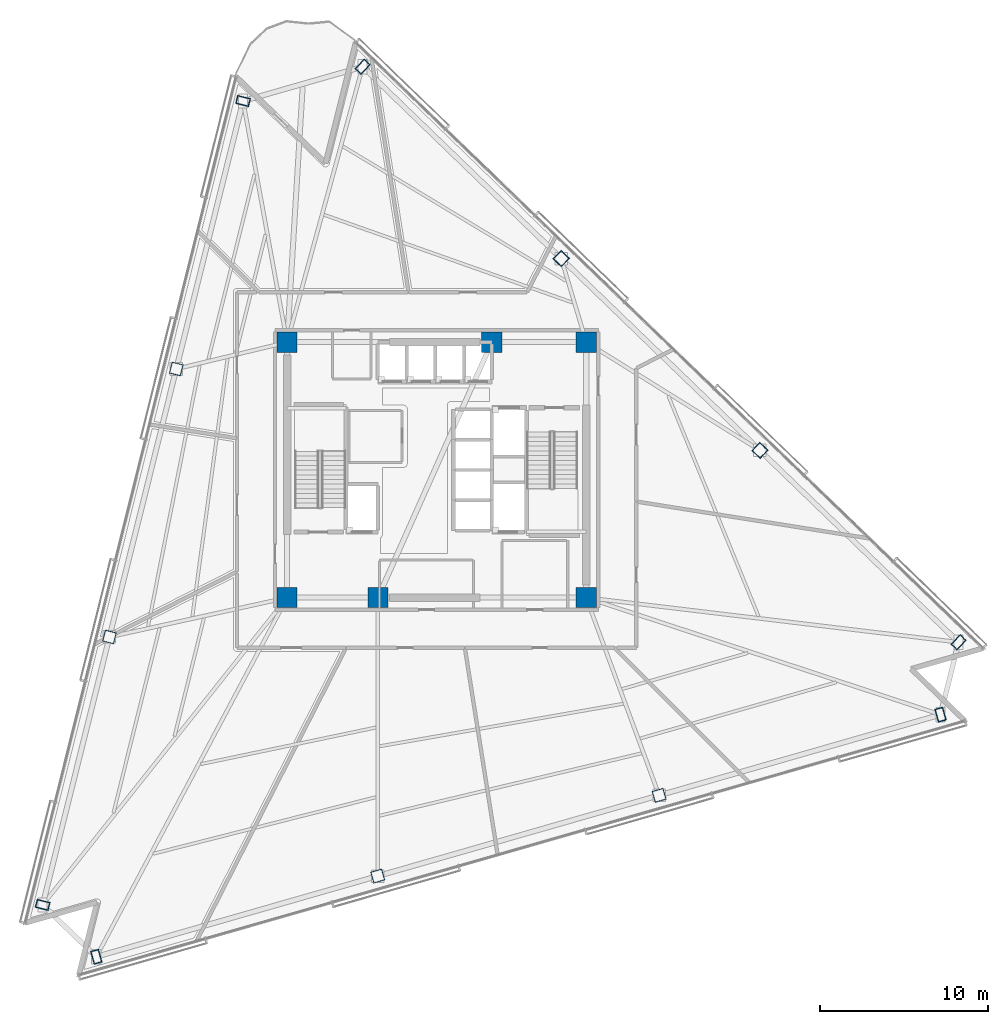
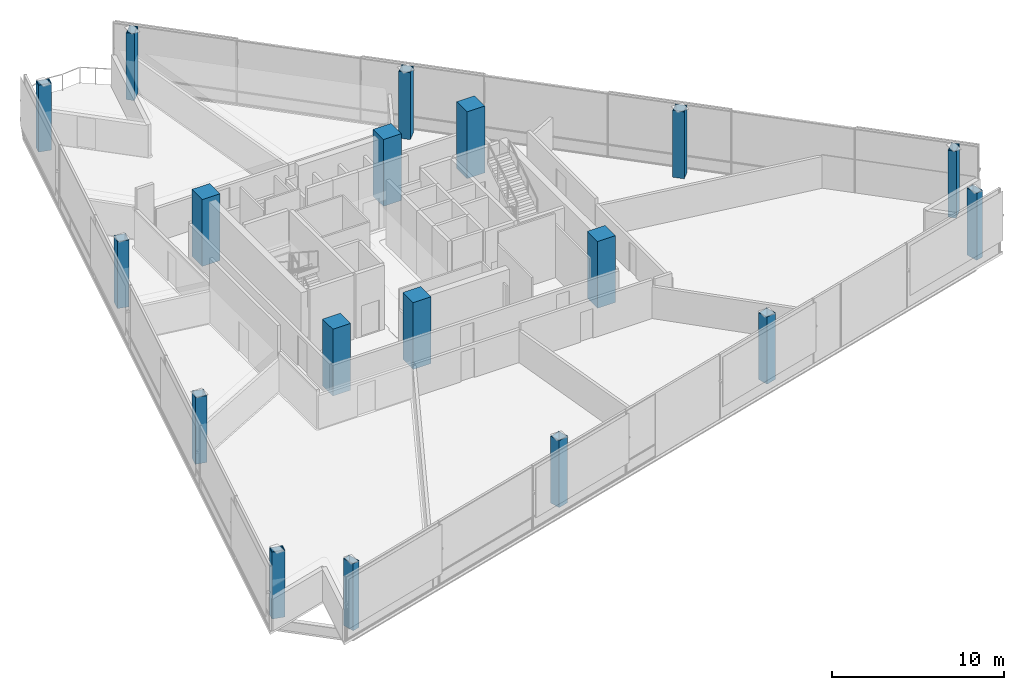
# One storey, part 1 of 18: 18 columns.
"""IFC4 building model written with IfcOpenShell, lengths in metres."""

from ifc_helpers import new_model, si_unit, direction, frame, origin, origin_2d, place, context, subcontext, project, spatial, rectangle, hollow_rectangle, extrude, material, material_profile, profile_set, type_object, element, save


model = new_model("IFC4")

# Units and contexts
model_context = context("Model", 3, precision=1e-05, world=origin(), true_north=direction((0.0, 1.0)))
body_context = subcontext(model_context, "Body", "Model", "MODEL_VIEW")
ifc_project = project(units=[si_unit("LENGTHUNIT", "METRE"), si_unit("AREAUNIT", "SQUARE_METRE"), si_unit("VOLUMEUNIT", "CUBIC_METRE"), si_unit("PLANEANGLEUNIT", "RADIAN"), si_unit("MASSUNIT", "GRAM", prefix="KILO")], contexts=[model_context])

# Site, building, storey
site_placement = place(None, origin())
site = spatial("IfcSite", under=ifc_project, at=site_placement, CompositionType="ELEMENT")
building_placement = place(site_placement, origin())
building = spatial("IfcBuilding", under=site, at=building_placement, Name="Tharavind Bronze Gate", CompositionType="ELEMENT")
storey_placement = place(building_placement, frame((0.0, 0.0, 107.699951171875)))
storey = spatial("IfcBuildingStorey", under=building, at=storey_placement, Name="L27", CompositionType="ELEMENT", Elevation=107.699951171875)

# Columns
ifc_material_1 = material(Name="Steel S460", Category="steel")
ifc_material_profile_1 = material_profile(ifc_material_1, hollow_rectangle(XDim=0.5, YDim=0.800048828125, WallThickness=0.0400390625, at=origin_2d()), Name="RHS800X500X40")
ifc_profile_set_1 = profile_set([ifc_material_profile_1], Name="Steel S460")
column_type_1 = type_object("IfcColumnType", Name="CORNER NOTCH COLUMN RHS800X500", PredefinedType="COLUMN", material=ifc_profile_set_1)
for number, where, z_axis, x_axis, name in (
    (1, (-11.520263671875, 21.952392578125, 0.0), (0.0, 0.0, 1.0), (0.2419218956, 0.970295726276, 0.0), "L27 perimeter column S1C1"),
    (2, (-23.447265625, -25.884521484375, 0.0), (0.0, 0.0, 1.0), (0.2419218956, 0.970295726276, 0.0), "L27 perimeter column S1C4"),
    (3, (-20.25341796875, -28.96875, 0.0), (0.0, 0.0, 1.0), (0.961261695938, 0.275637355817, 0.0), "L27 perimeter column S2C1"),
    (4, (29.9833984375, -14.563720703125, 0.0), (0.0, 0.0, 1.0), (0.961261695938, 0.275637355817, 0.0), "L27 perimeter column S2C4"),
    (5, (31.0576171875, -10.255615234375, 0.0), (0.0, 0.0, 1.0), (-0.719339800339, 0.694658370459, 0.0), "L27 perimeter column S3C1"),
    (6, (-4.406982421875, 23.9921875, 0.0), (0.0, 0.0, 1.0), (-0.719339800339, 0.694658370459, 0.0), "L27 perimeter column S3C4"),
):
    element("IfcColumn", number, at=place(storey_placement, frame(where, z_axis=z_axis, x_axis=x_axis)), inside=storey, type_object=column_type_1, Name=name, PredefinedType="COLUMN", context=body_context, shape_type="SweptSolid", body=[
        extrude(hollow_rectangle(XDim=0.5, YDim=0.800048828125, WallThickness=0.0400390625, at=origin_2d()), origin(), (0.0, 0.0, 1.0), 4.75),
    ])
ifc_material_2 = material(Name="Concrete C60/75", Category="concrete")
ifc_material_profile_2 = material_profile(ifc_material_2, rectangle(XDim=1.199951171875, YDim=1.199951171875, at=origin_2d()), Name="RCCOL1200")
ifc_profile_set_2 = profile_set([ifc_material_profile_2], Name="Concrete C60/75")
column_type_2 = type_object("IfcColumnType", Name="MEGA CORE COLUMN 1200", PredefinedType="COLUMN", material=ifc_profile_set_2)
for number, where, z_axis, x_axis, name in (
    (7, (-8.89990234375, -7.60009765625, 0.0), (0.0, 0.0, 1.0), (1.0, 0.0, 0.0), "L27 core mega column MC1"),
    (8, (-3.5, -7.60009765625, 0.0), (0.0, 0.0, 1.0), (1.0, 0.0, 0.0), "L27 core mega column MC2"),
    (9, (8.89990234375, -7.60009765625, 0.0), (0.0, 0.0, 1.0), (1.0, 0.0, 0.0), "L27 core mega column MC3"),
    (10, (8.89990234375, 7.60009765625, 0.0), (0.0, 0.0, 1.0), (1.0, 0.0, 0.0), "L27 core mega column MC4"),
    (11, (3.280029296875, 7.60009765625, 0.0), (0.0, 0.0, 1.0), (1.0, 0.0, 0.0), "L27 core mega column MC5"),
    (12, (-8.89990234375, 7.60009765625, 0.0), (0.0, 0.0, 1.0), (1.0, 0.0, 0.0), "L27 core mega column MC6"),
):
    element("IfcColumn", number, at=place(storey_placement, frame(where, z_axis=z_axis, x_axis=x_axis)), inside=storey, type_object=column_type_2, Name=name, PredefinedType="COLUMN", context=body_context, shape_type="SweptSolid", body=[
        extrude(rectangle(XDim=1.199951171875, YDim=1.199951171875, at=origin_2d()), origin(), (0.0, 0.0, 1.0), 4.75),
    ])
ifc_material_profile_3 = material_profile(ifc_material_1, hollow_rectangle(XDim=0.699951171875, YDim=0.699951171875, WallThickness=0.0400390625, at=origin_2d()), Name="SHS700X40")
ifc_profile_set_3 = profile_set([ifc_material_profile_3], Name="Steel S460")
column_type_3 = type_object("IfcColumnType", Name="PERIMETER BOX COLUMN SHS700", PredefinedType="COLUMN", material=ifc_profile_set_3)
for number, where, z_axis, x_axis, name in (
    (13, (-15.495849609375, 6.006591796875, 0.0), (0.0, 0.0, 1.0), (0.2419218956, 0.970295726276, 0.0), "L27 perimeter column S1C2"),
    (14, (-19.4716796875, -9.93896484375, 0.0), (0.0, 0.0, 1.0), (0.2419218956, 0.970295726276, 0.0), "L27 perimeter column S1C3"),
    (15, (-3.5078125, -24.1669921875, 0.0), (0.0, 0.0, 1.0), (0.961261695938, 0.275637355817, 0.0), "L27 perimeter column S2C2"),
    (16, (13.23779296875, -19.365234375, 0.0), (0.0, 0.0, 1.0), (0.961261695938, 0.275637355817, 0.0), "L27 perimeter column S2C3"),
    (17, (19.236083984375, 1.160400390625, 0.0), (0.0, 0.0, 1.0), (-0.719339800339, 0.694658370459, 0.0), "L27 perimeter column S3C2"),
    (18, (7.41455078125, 12.576171875, 0.0), (0.0, 0.0, 1.0), (-0.719339800339, 0.694658370459, 0.0), "L27 perimeter column S3C3"),
):
    element("IfcColumn", number, at=place(storey_placement, frame(where, z_axis=z_axis, x_axis=x_axis)), inside=storey, type_object=column_type_3, Name=name, PredefinedType="COLUMN", context=body_context, shape_type="SweptSolid", body=[
        extrude(hollow_rectangle(XDim=0.699951171875, YDim=0.699951171875, WallThickness=0.0400390625, at=origin_2d()), origin(), (0.0, 0.0, 1.0), 4.75),
    ])

save(model, "model.ifc")
